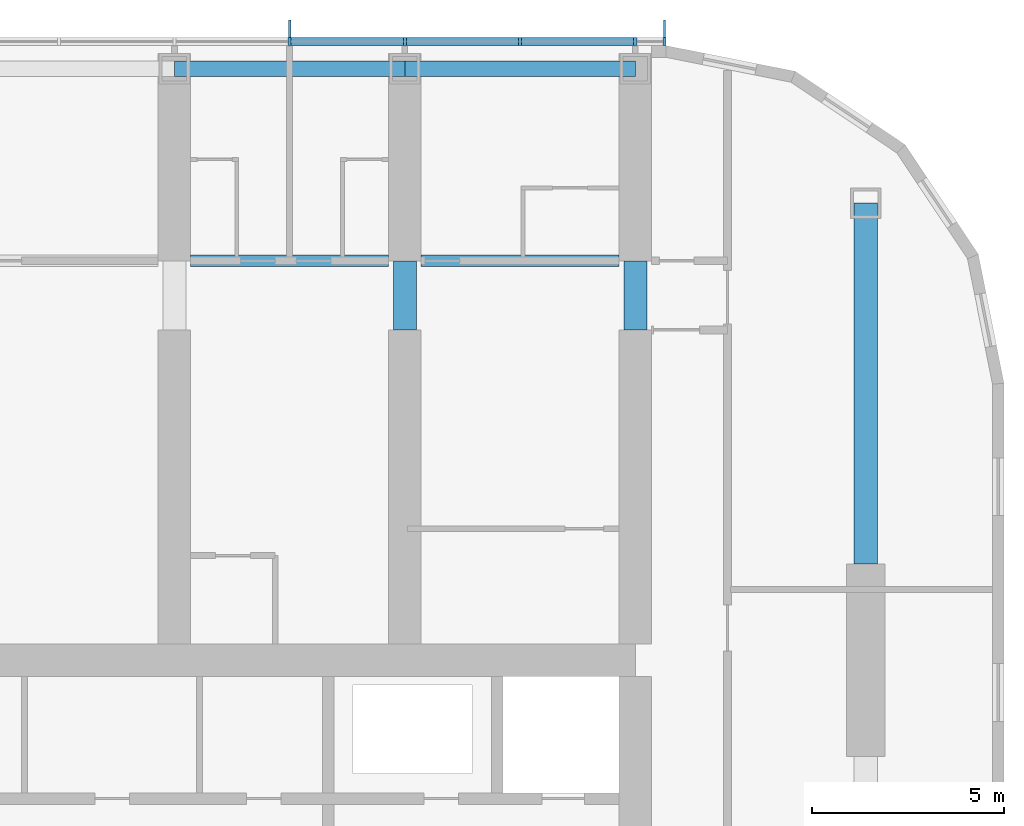
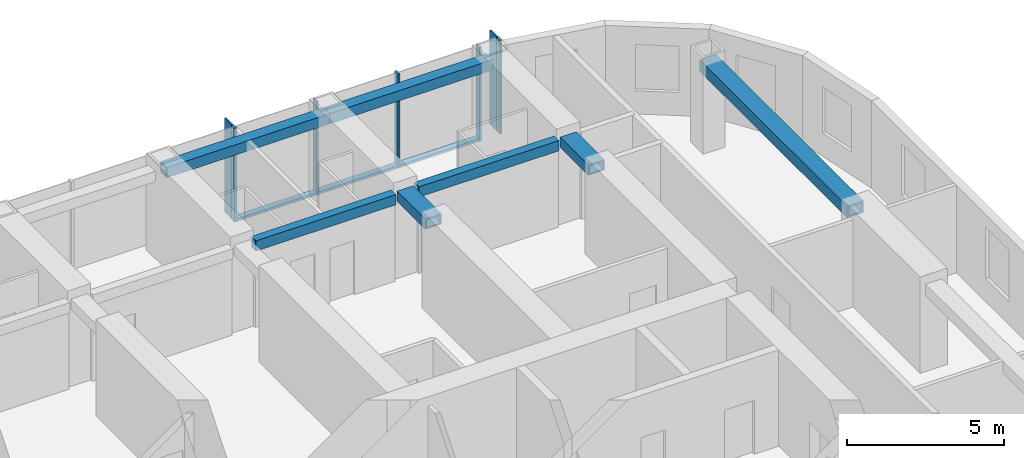
# One storey, part 5 of 22: 10 members, 7 beams, 1 element without a shape of its own.
"""IFC4 building model written with IfcOpenShell, lengths in metres."""

from ifc_helpers import new_model, si_unit, direction, frame, origin, origin_2d, place, context, subcontext, project, spatial, rectangle, hollow_rectangle, extrude, material, material_profile, profile_set, type_object, element, aggregate, save


model = new_model("IFC4")

# Units and contexts
model_context = context("Model", 3, precision=1e-05, world=origin(), true_north=direction((0.0, 1.0)))
body_context = subcontext(model_context, "Body", "Model", "MODEL_VIEW")
ifc_project = project(units=[si_unit("LENGTHUNIT", "METRE"), si_unit("AREAUNIT", "SQUARE_METRE"), si_unit("VOLUMEUNIT", "CUBIC_METRE"), si_unit("PLANEANGLEUNIT", "RADIAN"), si_unit("MASSUNIT", "GRAM", prefix="KILO")], contexts=[model_context])

# Site, building, storey
site_placement = place(None, origin())
site = spatial("IfcSite", under=ifc_project, at=site_placement, CompositionType="ELEMENT")
building_placement = place(site_placement, origin())
building = spatial("IfcBuilding", under=site, at=building_placement, Name="Orbita Commons", CompositionType="ELEMENT")
storey_placement = place(building_placement, frame((0.0, 0.0, 197.35009765625)))
storey = spatial("IfcBuildingStorey", under=building, at=storey_placement, Name="L49", CompositionType="ELEMENT", Elevation=197.35009765625)

# Curtain wall, members
ifc_material_1 = material(Name="Anodised aluminium frame, pale silver", Category="aluminium")
curtain_wall_type = type_object("IfcCurtainWallType", Name="Unitised curtain wall CW-U, full-height vision", PredefinedType="NOTDEFINED", material=ifc_material_1)
curtain_wall_placement = place(storey_placement, origin())
curtain_wall = element("IfcCurtainWall", 1, at=curtain_wall_placement, inside=storey, type_object=curtain_wall_type, Name="Curtain wall north L49", PredefinedType="NOTDEFINED")
ifc_material_2 = material(Name="Anodised aluminium, pale silver", Category="aluminium")
ifc_material_profile_1 = material_profile(ifc_material_2, rectangle(XDim=0.080078125, YDim=0.219970703125, at=origin_2d()), Name="AL 80x220")
ifc_profile_set_1 = profile_set([ifc_material_profile_1], Name="Anodised aluminium, pale silver")
member_type_1 = type_object("IfcMemberType", Name="Curtain wall mullion 80x220", PredefinedType="MULLION", material=ifc_profile_set_1)
member_1_placement = place(storey_placement, frame((66.760009765625, 54.31005859375, -0.25), z_axis=(0.0, 0.0, 1.0), x_axis=(-1.0, 0.0, 0.0)))
member_1 = element("IfcMember", 2, at=member_1_placement, type_object=member_type_1, Name="Mullion 1 CW-L49-N", PredefinedType="MULLION", context=body_context, shape_type="SweptSolid", body=[
    extrude(rectangle(XDim=0.080078125, YDim=0.219970703125, at=origin_2d()), origin(), (0.0, 0.0, 1.0), 3.64990234375),
])
member_2_placement = place(storey_placement, frame((66.0, 54.31005859375, -0.25), z_axis=(0.0, 0.0, 1.0), x_axis=(-1.0, 0.0, 0.0)))
member_2 = element("IfcMember", 3, at=member_2_placement, type_object=member_type_1, Name="Mullion 2 CW-L49-N", PredefinedType="MULLION", context=body_context, shape_type="SweptSolid", body=[
    extrude(rectangle(XDim=0.080078125, YDim=0.219970703125, at=origin_2d()), origin(), (0.0, 0.0, 1.0), 3.64990234375),
])
member_3_placement = place(storey_placement, frame((63.0, 54.31005859375, -0.25), z_axis=(0.0, 0.0, 1.0), x_axis=(-1.0, 0.0, 0.0)))
member_3 = element("IfcMember", 4, at=member_3_placement, type_object=member_type_1, Name="Mullion 3 CW-L49-N", PredefinedType="MULLION", context=body_context, shape_type="SweptSolid", body=[
    extrude(rectangle(XDim=0.080078125, YDim=0.219970703125, at=origin_2d()), origin(), (0.0, 0.0, 1.0), 3.64990234375),
])
member_4_placement = place(storey_placement, frame((60.0, 54.31005859375, -0.25), z_axis=(0.0, 0.0, 1.0), x_axis=(-1.0, 0.0, 0.0)))
member_4 = element("IfcMember", 5, at=member_4_placement, type_object=member_type_1, Name="Mullion 4 CW-L49-N", PredefinedType="MULLION", context=body_context, shape_type="SweptSolid", body=[
    extrude(rectangle(XDim=0.080078125, YDim=0.219970703125, at=origin_2d()), origin(), (0.0, 0.0, 1.0), 3.64990234375),
])
member_5_placement = place(storey_placement, frame((57.0, 54.31005859375, -0.25), z_axis=(0.0, 0.0, 1.0), x_axis=(-1.0, 0.0, 0.0)))
member_5 = element("IfcMember", 6, at=member_5_placement, type_object=member_type_1, Name="Mullion 5 CW-L49-N", PredefinedType="MULLION", context=body_context, shape_type="SweptSolid", body=[
    extrude(rectangle(XDim=0.080078125, YDim=0.219970703125, at=origin_2d()), origin(), (0.0, 0.0, 1.0), 3.64990234375),
])
ifc_material_3 = material(Name="Anodised aluminium, pale silver", Category="aluminium")
ifc_material_profile_2 = material_profile(ifc_material_3, rectangle(XDim=0.219970703125, YDim=0.10009765625, at=origin_2d()), Name="AL 220x100")
ifc_profile_set_2 = profile_set([ifc_material_profile_2], Name="Anodised aluminium, pale silver")
member_type_2 = type_object("IfcMemberType", Name="Curtain wall stack transom 220x100", PredefinedType="USERDEFINED", material=ifc_profile_set_2)
member_6_placement = place(storey_placement, frame((65.9599609375, 54.31005859375, -0.2001953125), z_axis=(-1.0, 0.0, 0.0), x_axis=(0.0, -1.0, 0.0)))
member_6 = element("IfcMember", 7, at=member_6_placement, type_object=member_type_2, Name="Transom 2.1 CW-L49-N", ObjectType="TRANSOM", PredefinedType="USERDEFINED", context=body_context, shape_type="SweptSolid", body=[
    extrude(rectangle(XDim=0.219970703125, YDim=0.10009765625, at=origin_2d()), origin(), (0.0, 0.0, 1.0), 2.919921875),
])
member_7_placement = place(storey_placement, frame((62.9599609375, 54.31005859375, -0.2001953125), z_axis=(-1.0, 0.0, 0.0), x_axis=(0.0, -1.0, 0.0)))
member_7 = element("IfcMember", 8, at=member_7_placement, type_object=member_type_2, Name="Transom 3.1 CW-L49-N", ObjectType="TRANSOM", PredefinedType="USERDEFINED", context=body_context, shape_type="SweptSolid", body=[
    extrude(rectangle(XDim=0.219970703125, YDim=0.10009765625, at=origin_2d()), origin(), (0.0, 0.0, 1.0), 2.919921875),
])
member_8_placement = place(storey_placement, frame((59.9599609375, 54.31005859375, -0.2001953125), z_axis=(-1.0, 0.0, 0.0), x_axis=(0.0, -1.0, 0.0)))
member_8 = element("IfcMember", 9, at=member_8_placement, type_object=member_type_2, Name="Transom 4.1 CW-L49-N", ObjectType="TRANSOM", PredefinedType="USERDEFINED", context=body_context, shape_type="SweptSolid", body=[
    extrude(rectangle(XDim=0.219970703125, YDim=0.10009765625, at=origin_2d()), origin(), (0.0, 0.0, 1.0), 2.919921875),
])

# Beams
ifc_material_4 = material(Name="Steel ASTM A572 Gr 50 welded plate", Category="steel")
ifc_material_profile_3 = material_profile(ifc_material_4, hollow_rectangle(XDim=0.300048828125, YDim=0.39990234375, WallThickness=0.0400390625, at=origin_2d()), Name="BOX 400x300x40")
ifc_profile_set_3 = profile_set([ifc_material_profile_3], Name="Steel ASTM A572 Gr 50 welded plate")
beam_type_1 = type_object("IfcBeamType", Name="Steel corridor link BOX 400x300x40", PredefinedType="BEAM", material=ifc_profile_set_3)
for number, where, z_axis, x_axis, name in (
    (10, (54.425048828125, 48.60009765625, 3.199951171875), (1.0, 0.0, 0.0), (0.0, 1.0, 0.0), "Corridor beam NB 10-11 L49"),
    (11, (60.425048828125, 48.60009765625, 3.199951171875), (1.0, 0.0, 0.0), (0.0, 1.0, 0.0), "Corridor beam NB 11-12 L49"),
):
    element("IfcBeam", number, at=place(storey_placement, frame(where, z_axis=z_axis, x_axis=x_axis)), inside=storey, type_object=beam_type_1, Name=name, PredefinedType="BEAM", context=body_context, shape_type="SweptSolid", body=[
        extrude(hollow_rectangle(XDim=0.300048828125, YDim=0.39990234375, WallThickness=0.0400390625, at=origin_2d()), origin(), (0.0, 0.0, 1.0), 5.14990234375),
    ])
ifc_material_5 = material(Name="Steel ASTM A572 Gr 50 welded plate", Category="steel")
ifc_material_profile_4 = material_profile(ifc_material_5, hollow_rectangle(XDim=0.60009765625, YDim=0.39990234375, WallThickness=0.050048828125, at=origin_2d()), Name="BOX 400x600x50")
ifc_profile_set_4 = profile_set([ifc_material_profile_4], Name="Steel ASTM A572 Gr 50 welded plate")
beam_type_2 = type_object("IfcBeamType", Name="Steel coupling link BOX 400x600x50", PredefinedType="LINTEL", material=ifc_profile_set_4)
for number, where, z_axis, x_axis, name in (
    (12, (60.0, 46.800048828125, 3.199951171875), (0.0, 1.0, 0.0), (-1.0, 0.0, 0.0), "Coupling beam 11 north L49"),
    (13, (66.0, 46.800048828125, 3.199951171875), (0.0, 1.0, 0.0), (-1.0, 0.0, 0.0), "Coupling beam 12 north L49"),
):
    element("IfcBeam", number, at=place(storey_placement, frame(where, z_axis=z_axis, x_axis=x_axis)), inside=storey, type_object=beam_type_2, Name=name, PredefinedType="LINTEL", context=body_context, shape_type="SweptSolid", body=[
        extrude(hollow_rectangle(XDim=0.60009765625, YDim=0.39990234375, WallThickness=0.050048828125, at=origin_2d()), origin(), (0.0, 0.0, 1.0), 1.800048828125),
    ])
ifc_material_6 = material(Name="Steel ASTM A572 Gr 50 welded plate", Category="steel")
ifc_material_profile_5 = material_profile(ifc_material_6, hollow_rectangle(XDim=0.60009765625, YDim=0.449951171875, WallThickness=0.06005859375, at=origin_2d()), Name="BOX 450x600x60")
ifc_profile_set_5 = profile_set([ifc_material_profile_5], Name="Steel ASTM A572 Gr 50 welded plate")
beam_type_3 = type_object("IfcBeamType", Name="Steel end frame link BOX 450x600x60", PredefinedType="BEAM", material=ifc_profile_set_5)
beam_placement = place(storey_placement, frame((72.0, 40.699951171875, 3.1748046875), z_axis=(0.0, 1.0, 0.0), x_axis=(-1.0, 0.0, 0.0)))
element("IfcBeam", 14, at=beam_placement, inside=storey, type_object=beam_type_3, Name="End frame beam 13 D-E L49", PredefinedType="BEAM", context=body_context, shape_type="SweptSolid", body=[
    extrude(hollow_rectangle(XDim=0.60009765625, YDim=0.449951171875, WallThickness=0.06005859375, at=origin_2d()), origin(), (0.0, 0.0, 1.0), 9.400146484375),
])
ifc_material_7 = material(Name="Steel ASTM A572 Gr 50 welded plate", Category="steel")
ifc_material_profile_6 = material_profile(ifc_material_7, hollow_rectangle(XDim=0.39990234375, YDim=0.39990234375, WallThickness=0.0400390625, at=origin_2d()), Name="BOX 400x400x40")
ifc_profile_set_6 = profile_set([ifc_material_profile_6], Name="Steel ASTM A572 Gr 50 welded plate")
beam_type_4 = type_object("IfcBeamType", Name="Steel spandrel BOX 400x400x40", PredefinedType="SPANDREL", material=ifc_profile_set_6)
for number, where, z_axis, x_axis, name in (
    (15, (54.0, 53.60009765625, 3.199951171875), (1.0, 0.0, 0.0), (0.0, 1.0, 0.0), "Spandrel beam E 10-11 L49"),
    (16, (60.0, 53.60009765625, 3.199951171875), (1.0, 0.0, 0.0), (0.0, 1.0, 0.0), "Spandrel beam E 11-12 L49"),
):
    element("IfcBeam", number, at=place(storey_placement, frame(where, z_axis=z_axis, x_axis=x_axis)), inside=storey, type_object=beam_type_4, Name=name, PredefinedType="SPANDREL", context=body_context, shape_type="SweptSolid", body=[
        extrude(hollow_rectangle(XDim=0.39990234375, YDim=0.39990234375, WallThickness=0.0400390625, at=origin_2d()), origin(), (0.0, 0.0, 1.0), 6.0),
    ])

# Member
ifc_material_8 = material(Name="Anodised aluminium, pale silver", Category="aluminium")
ifc_material_profile_7 = material_profile(ifc_material_8, rectangle(XDim=0.06005859375, YDim=0.449951171875, at=origin_2d()), Name="FIN 60x450")
ifc_profile_set_7 = profile_set([ifc_material_profile_7], Name="Anodised aluminium, pale silver")
member_type_3 = type_object("IfcMemberType", Name="Vertical fin 60x450 pale aluminium", PredefinedType="USERDEFINED", material=ifc_profile_set_7)
member_9_placement = place(storey_placement, frame((66.760009765625, 54.64501953125, -0.25), z_axis=(0.0, 0.0, 1.0), x_axis=(-1.0, 0.0, 0.0)))
member_9 = element("IfcMember", 17, at=member_9_placement, type_object=member_type_3, Name="Fin 1 CW-L49-N", ObjectType="FIN", PredefinedType="USERDEFINED", context=body_context, shape_type="SweptSolid", body=[
    extrude(rectangle(XDim=0.06005859375, YDim=0.449951171875, at=origin_2d()), origin(), (0.0, 0.0, 1.0), 3.64990234375),
])

member_10_placement = place(storey_placement, frame((57.0, 54.64501953125, -0.25), z_axis=(0.0, 0.0, 1.0), x_axis=(-1.0, 0.0, 0.0)))
member_10 = element("IfcMember", 18, at=member_10_placement, type_object=member_type_3, Name="Fin 5 CW-L49-N", ObjectType="FIN", PredefinedType="USERDEFINED", context=body_context, shape_type="SweptSolid", body=[
    extrude(rectangle(XDim=0.06005859375, YDim=0.449951171875, at=origin_2d()), origin(), (0.0, 0.0, 1.0), 3.64990234375),
])

aggregate(curtain_wall, [member_1, member_9, member_2, member_3, member_4, member_5, member_10, member_6, member_7, member_8])

save(model, "model.ifc")
